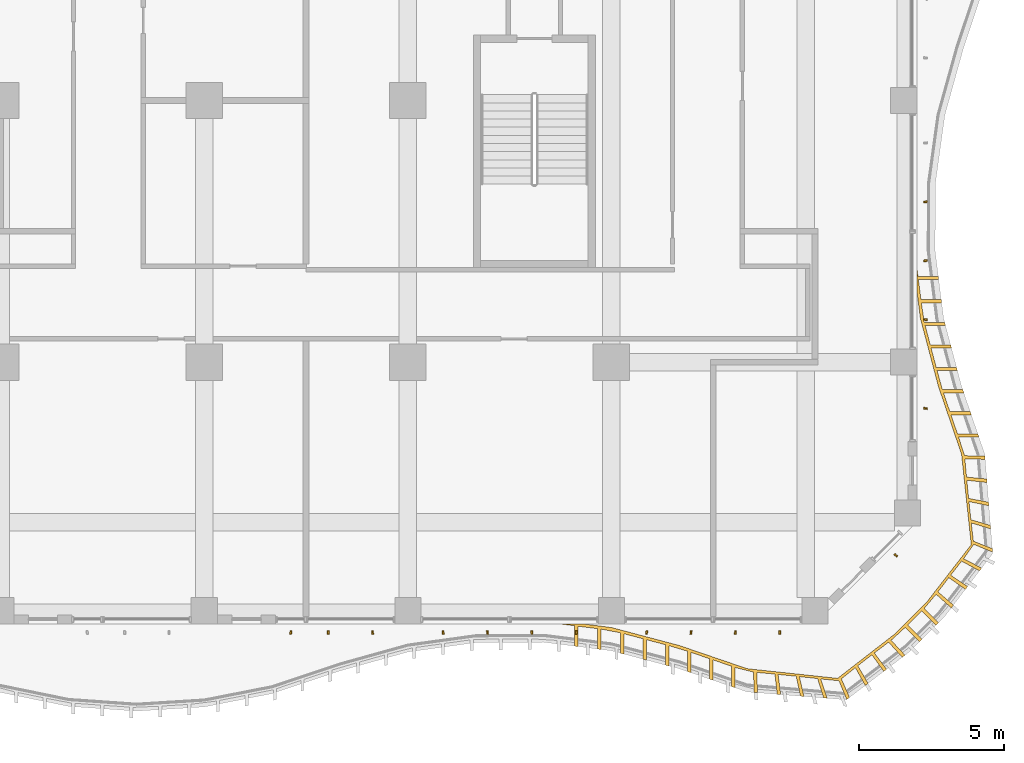
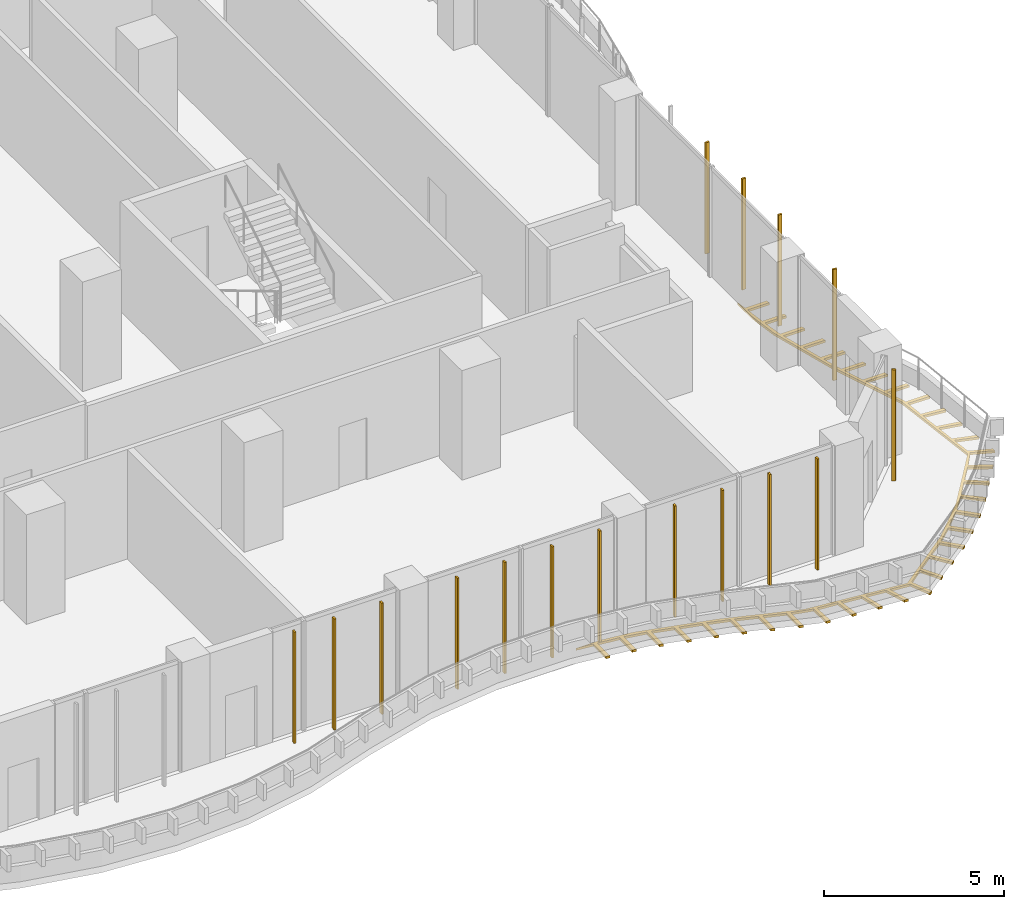
# One storey, part 23 of 26: 17 shading devices.
"""IFC4 building model written with IfcOpenShell, lengths in metres."""

from ifc_helpers import new_model, si_unit, direction, frame, origin, origin_2d, place, context, subcontext, project, spatial, polyline, rectangle, outline, extrude, source, transform, mapped, material, layer, layer_set, material_profile, profile_set, type_object, element, save


model = new_model("IFC4")

# Units and contexts
model_context = context("Model", 3, precision=1e-05, world=origin(), true_north=direction((0.0, 1.0)))
body_context = subcontext(model_context, "Body", "Model", "MODEL_VIEW")
ifc_project = project(units=[si_unit("LENGTHUNIT", "METRE"), si_unit("AREAUNIT", "SQUARE_METRE"), si_unit("VOLUMEUNIT", "CUBIC_METRE"), si_unit("PLANEANGLEUNIT", "RADIAN"), si_unit("MASSUNIT", "GRAM", prefix="KILO")], contexts=[model_context])

# Site, building, storey
site_placement = place(None, origin())
site = spatial("IfcSite", under=ifc_project, at=site_placement, CompositionType="ELEMENT")
building_placement = place(site_placement, origin())
building = spatial("IfcBuilding", under=site, at=building_placement, Name="Kilnfold Tower and Market Hall", CompositionType="ELEMENT")
storey_placement = place(building_placement, frame((0.0, 0.0, 83.199951171875)))
storey = spatial("IfcBuildingStorey", under=building, at=storey_placement, Name="L19", CompositionType="ELEMENT", Elevation=83.199951171875)

# Shading devices
ifc_material_1 = material(Name="Terracotta", Category="masonry")
ifc_material_profile = material_profile(ifc_material_1, rectangle(XDim=0.06005859375, YDim=0.1201171875, at=origin_2d()), Name="BAG 60x120")
ifc_profile_set = profile_set([ifc_material_profile], Name="Terracotta")
shading_device_type_1 = type_object("IfcShadingDeviceType", Name="BAGUETTE", PredefinedType="USERDEFINED", material=ifc_profile_set)
shared_shape_1 = source(origin(), body_context, "Body", "SweptSolid", [
    extrude(rectangle(XDim=0.06005859375, YDim=0.1201171875, at=origin_2d()), origin(), (0.0, 0.0, 1.0), 3.780029296875),
])
for number, where, z_axis, x_axis, name in (
    (1, (11.47509765625, -28.300048828125, 0.0), (0.0, 0.0, 1.0), (0.993367749576, -0.114980494447, 0.0), "Terracotta baguette L19 S"),
    (2, (12.762451171875, -28.300048828125, 0.0), (0.0, 0.0, 1.0), (0.998571291431, -0.053435717743, 0.0), "Terracotta baguette L19 S"),
    (3, (14.28759765625, -28.300048828125, 0.0), (0.0, 0.0, 1.0), (0.99919502538, 0.040116097219, 0.0), "Terracotta baguette L19 S"),
    (4, (16.71240234375, -28.300048828125, 0.0), (0.0, 0.0, 1.0), (0.990618060512, 0.136659643597, 0.0), "Terracotta baguette L19 S"),
    (5, (18.237548828125, -28.300048828125, 0.0), (0.0, 0.0, 1.0), (0.992448845136, 0.122659242569, 0.0), "Terracotta baguette L19 S"),
    (6, (19.762451171875, -28.300048828125, 0.0), (0.0, 0.0, 1.0), (0.998571291431, 0.053435717743, 0.0), "Terracotta baguette L19 S"),
    (7, (21.28759765625, -28.300048828125, 0.0), (0.0, 0.0, 1.0), (0.99919502538, -0.040116097219, 0.0), "Terracotta baguette L19 S"),
    (8, (23.71240234375, -28.300048828125, 0.0), (0.0, 0.0, 1.0), (0.990618060512, -0.136659643597, 0.0), "Terracotta baguette L19 S"),
    (9, (25.237548828125, -28.300048828125, 0.0), (0.0, 0.0, 1.0), (0.992448845136, -0.122659242569, 0.0), "Terracotta baguette L19 S"),
    (10, (26.762451171875, -28.300048828125, 0.0), (0.0, 0.0, 1.0), (0.998571291431, -0.053435717743, 0.0), "Terracotta baguette L19 S"),
    (11, (28.28759765625, -28.300048828125, 0.0), (0.0, 0.0, 1.0), (0.99919502538, 0.040116097219, 0.0), "Terracotta baguette L19 S"),
    (12, (32.28173828125, -25.642578125, 0.0), (0.0, 0.0, 1.0), (0.642799642605, 0.76603434614, 0.0), "Terracotta baguette L19 SE"),
    (13, (33.300048828125, -20.5908203125, 0.0), (0.0, 0.0, 1.0), (0.13849382915, 0.990363296618, 0.0), "Terracotta baguette L19 E"),
    (14, (33.300048828125, -17.53759765625, 0.0), (0.0, 0.0, 1.0), (0.014122734798, 0.999900269208, 0.0), "Terracotta baguette L19 E"),
    (15, (33.300048828125, -15.512451171875, 0.0), (0.0, 0.0, 1.0), (-0.100717694428, 0.994915044629, 0.0), "Terracotta baguette L19 E"),
    (16, (33.300048828125, -13.487548828125, 0.0), (0.0, 0.0, 1.0), (-0.137710770901, 0.990472485018, 0.0), "Terracotta baguette L19 E"),
):
    element("IfcShadingDevice", number, at=place(storey_placement, frame(where, z_axis=z_axis, x_axis=x_axis)), inside=storey, type_object=shading_device_type_1, Name=name, ObjectType="BAGUETTE", PredefinedType="USERDEFINED", context=body_context, shape_type="MappedRepresentation", body=[
        mapped(shared_shape_1, transform((0.0, 0.0, 0.0))),
    ])
ifc_material_2 = material(Name="Bronze anodised aluminium", Category="aluminium")
ifc_layer = layer(ifc_material_2, 0.080078125)
ifc_layer_set = layer_set([ifc_layer], Name="Bronze anodised aluminium")
shading_device_type_2 = type_object("IfcShadingDeviceType", Name="BRONZE SLAT SOFFIT 80", PredefinedType="USERDEFINED", material=ifc_layer_set)
shared_shape_2 = source(origin(), body_context, "Body", "SweptSolid", [
    extrude(outline(polyline([(22.5, -28.12548828125), (24.833251953125, -28.74365234375), (27.166748046875, -29.540283203125), (30.27587890625, -29.873291015625), (32.208740234375, -28.37548828125), (33.37548828125, -27.208740234375), (34.873291015625, -25.27587890625), (34.540283203125, -22.166748046875), (33.74365234375, -19.833251953125), (33.12548828125, -17.5), (33.0, -16.50341796875), (33.0, -15.710205078125), (33.04248046875, -16.04638671875), (33.742431640625, -16.04638671875), (33.75732421875, -16.16552734375), (33.057373046875, -16.16552734375), (33.142333984375, -16.840087890625), (33.84228515625, -16.840087890625), (33.857421875, -16.959228515625), (33.157470703125, -16.959228515625), (33.26025390625, -17.63037109375), (33.960205078125, -17.63037109375), (33.990966796875, -17.746337890625), (33.291015625, -17.746337890625), (33.465087890625, -18.40380859375), (34.1650390625, -18.40380859375), (34.19580078125, -18.519775390625), (33.49560546875, -18.519775390625), (33.669921875, -19.177001953125), (34.369873046875, -19.177001953125), (34.400634765625, -19.293212890625), (33.70068359375, -19.293212890625), (33.8828125, -19.947998046875), (34.582763671875, -19.947998046875), (34.62158203125, -20.0615234375), (33.921630859375, -20.0615234375), (34.141357421875, -20.705078125), (34.84130859375, -20.705078125), (34.8798828125, -20.818603515625), (34.179931640625, -20.818603515625), (34.399658203125, -21.462158203125), (35.099609375, -21.462158203125), (35.138427734375, -21.57568359375), (34.4384765625, -21.57568359375), (34.64453125, -22.2177734375), (35.344482421875, -22.22216796875), (35.35400390625, -22.341796875), (34.654296875, -22.327880859375), (34.71142578125, -22.95166015625), (35.408203125, -23.01953125), (35.417724609375, -23.13916015625), (34.721923828125, -23.061767578125), (34.7841796875, -23.68505859375), (35.4716796875, -23.81689453125), (35.481201171875, -23.9365234375), (34.795654296875, -23.795166015625), (34.863037109375, -24.41943359375), (35.535400390625, -24.614501953125), (35.544921875, -24.734130859375), (34.875244140625, -24.52978515625), (34.947021484375, -25.156494140625), (35.598876953125, -25.412109375), (35.6083984375, -25.531494140625), (34.960205078125, -25.267333984375), (34.6103515625, -25.758544921875), (35.23095703125, -26.08251953125), (35.158203125, -26.177978515625), (34.543212890625, -25.84326171875), (34.166748046875, -26.32568359375), (34.745849609375, -26.71875), (34.673095703125, -26.814208984375), (34.100830078125, -26.4111328125), (33.730712890625, -26.898193359375), (34.260986328125, -27.35498046875), (34.18798828125, -27.450439453125), (33.665771484375, -26.984619140625), (33.25341796875, -27.47216796875), (33.748291015625, -27.96728515625), (33.66357421875, -28.052001953125), (33.168701171875, -27.55712890625), (32.687744140625, -28.037841796875), (33.1826171875, -28.532958984375), (33.097900390625, -28.617919921875), (32.602783203125, -28.122802734375), (32.117919921875, -28.56591796875), (32.597412109375, -29.076171875), (32.501953125, -29.14892578125), (32.03125, -28.630615234375), (31.54296875, -28.999755859375), (31.961181640625, -29.56103515625), (31.86572265625, -29.6337890625), (31.457275390625, -29.0654296875), (30.97412109375, -29.4404296875), (31.324951171875, -30.046142578125), (31.2294921875, -30.118896484375), (30.88916015625, -29.507080078125), (30.40869140625, -29.889404296875), (30.688720703125, -30.531005859375), (30.59326171875, -30.60400390625), (30.32421875, -29.957763671875), (29.69970703125, -29.894287109375), (29.918212890625, -30.5595703125), (29.798583984375, -30.550048828125), (29.58935546875, -29.882080078125), (28.964599609375, -29.813720703125), (29.120849609375, -30.495849609375), (29.001220703125, -30.486328125), (28.8544921875, -29.802001953125), (28.23095703125, -29.738525390625), (28.3232421875, -30.432373046875), (28.20361328125, -30.4228515625), (28.12109375, -29.727783203125), (27.49755859375, -29.66943359375), (27.52587890625, -30.368896484375), (27.40625, -30.359375), (27.38720703125, -29.659423828125), (26.75048828125, -29.498291015625), (26.75048828125, -30.1982421875), (26.636962890625, -30.159423828125), (26.636962890625, -29.45947265625), (25.993408203125, -29.23974609375), (25.993408203125, -29.939697265625), (25.8798828125, -29.90087890625), (25.8798828125, -29.200927734375), (25.236328125, -28.981201171875), (25.236328125, -29.681396484375), (25.122802734375, -29.642578125), (25.122802734375, -28.9423828125), (24.4716796875, -28.747802734375), (24.4716796875, -29.447998046875), (24.355712890625, -29.417236328125), (24.355712890625, -28.71728515625), (23.6982421875, -28.54296875), (23.6982421875, -29.242919921875), (23.582275390625, -29.21240234375), (23.582275390625, -28.51220703125), (22.925048828125, -28.338134765625), (22.925048828125, -29.0380859375), (22.80908203125, -29.007568359375), (22.80908203125, -28.3076171875), (22.142578125, -28.180419921875), (22.142578125, -28.880615234375), (22.0234375, -28.865478515625), (22.0234375, -28.16552734375), (21.348876953125, -28.08056640625), (21.348876953125, -28.780517578125), (21.229736328125, -28.765380859375), (21.229736328125, -28.0654296875), (20.710205078125, -28.0), (21.50341796875, -28.0), (22.5, -28.12548828125)])), origin(), (0.0, 0.0, 1.0), 0.080078125),
])
shading_device_placement = place(storey_placement, frame((0.0, 0.0, -0.300048828125)))
element("IfcShadingDevice", 17, at=shading_device_placement, inside=storey, type_object=shading_device_type_2, Name="Balcony soffit slats L19", ObjectType="SLAT", PredefinedType="USERDEFINED", context=body_context, shape_type="MappedRepresentation", body=[
    mapped(shared_shape_2, transform((0.0, 0.0, 0.0))),
])

save(model, "model.ifc")
